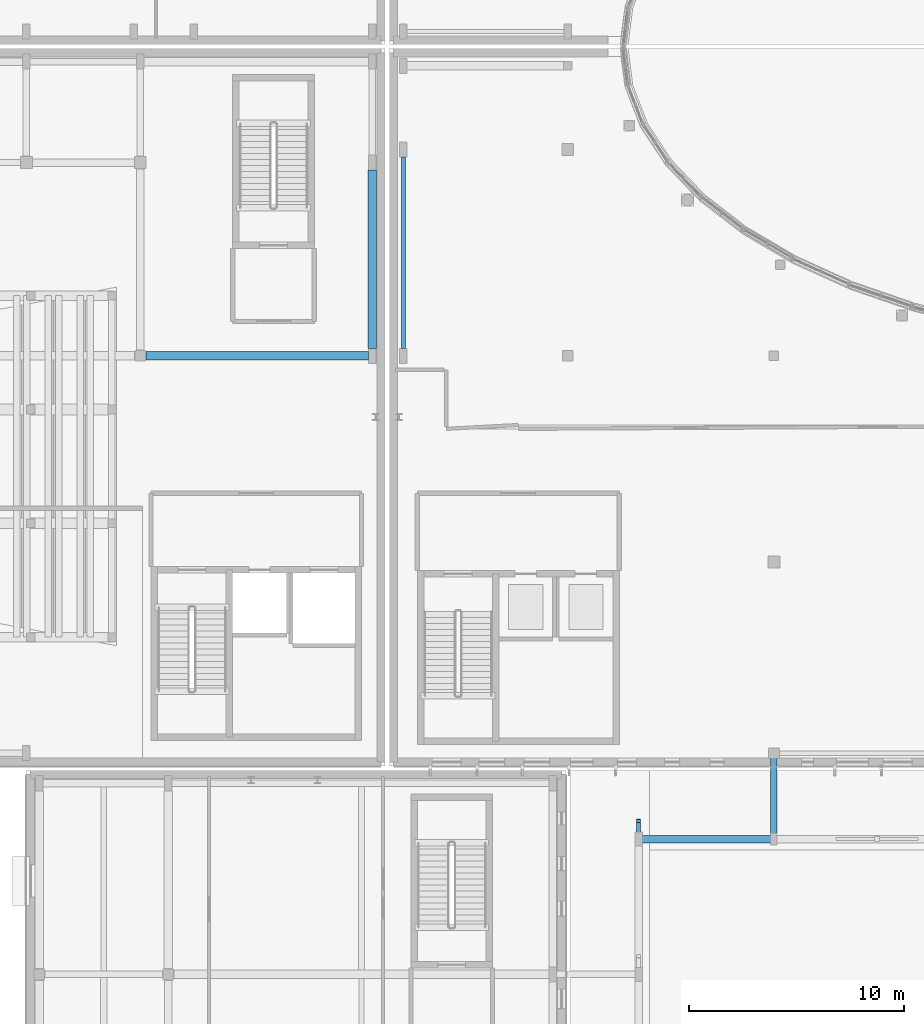
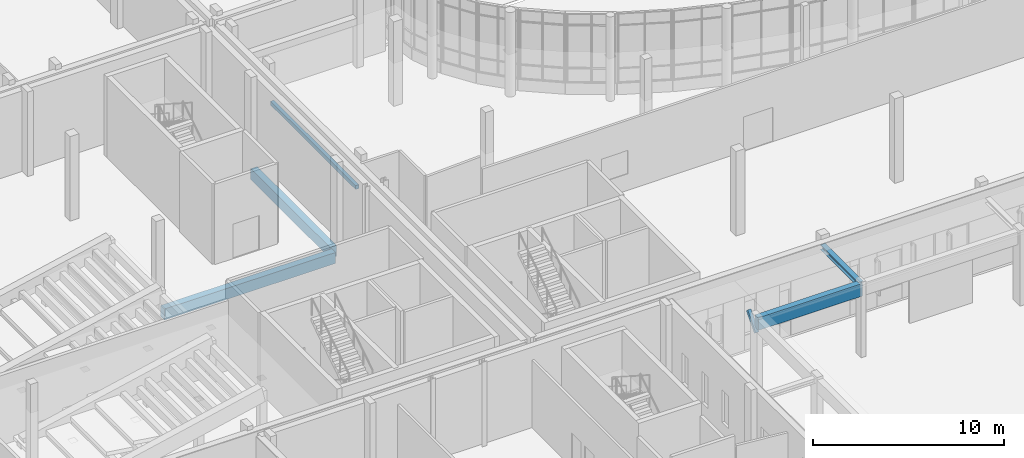
# One storey, part 10 of 84: 5 beams, 1 member.
"""IFC4 building model written with IfcOpenShell, lengths in metres."""

from ifc_helpers import new_model, si_unit, direction, frame, origin, origin_2d, place, context, subcontext, project, spatial, rectangle, hollow_rectangle, i_section, extrude, material, material_profile, profile_set, type_object, element, save


model = new_model("IFC4")

# Units and contexts
model_context = context("Model", 3, precision=1e-05, world=origin(), true_north=direction((0.0, 1.0)))
body_context = subcontext(model_context, "Body", "Model", "MODEL_VIEW")
ifc_project = project(units=[si_unit("LENGTHUNIT", "METRE"), si_unit("AREAUNIT", "SQUARE_METRE"), si_unit("VOLUMEUNIT", "CUBIC_METRE"), si_unit("PLANEANGLEUNIT", "RADIAN"), si_unit("MASSUNIT", "GRAM", prefix="KILO")], contexts=[model_context])

# Site, building, storey
site_placement = place(None, origin())
site = spatial("IfcSite", under=ifc_project, at=site_placement, CompositionType="ELEMENT")
building_placement = place(site_placement, origin())
building = spatial("IfcBuilding", under=site, at=building_placement, Name="Mzevani Central Library", CompositionType="ELEMENT")
storey_placement = place(building_placement, origin())
storey = spatial("IfcBuildingStorey", under=building, at=storey_placement, Name="L00", CompositionType="ELEMENT", Elevation=0.0)

# Beams
ifc_material_1 = material(Name="Concrete C35/45", Category="concrete")
ifc_material_profile_1 = material_profile(ifc_material_1, rectangle(XDim=0.39990234375, YDim=0.699951171875, at=origin_2d()), Name="RC B400x700")
ifc_profile_set_1 = profile_set([ifc_material_profile_1], Name="Concrete C35/45")
beam_type_1 = type_object("IfcBeamType", Name="Beam RC 400x700", PredefinedType="BEAM", material=ifc_profile_set_1)
beam_1_placement = place(storey_placement, frame((34.77490234375, 61.60009765625, -0.75), z_axis=(1.0, 0.0, 0.0), x_axis=(0.0, 1.0, 0.0)))
element("IfcBeam", 1, at=beam_1_placement, inside=storey, type_object=beam_type_1, Name="L00 V5 Girder B-08 (904)", PredefinedType="BEAM", context=body_context, shape_type="SweptSolid", body=[
    extrude(rectangle(XDim=0.39990234375, YDim=0.699951171875, at=origin_2d()), origin(), (0.0, 0.0, 1.0), 10.35009765625),
])
beam_2_placement = place(storey_placement, frame((45.300048828125, 61.949951171875, -0.75), z_axis=(0.0, 1.0, 0.0), x_axis=(-1.0, 0.0, 0.0)))
element("IfcBeam", 2, at=beam_2_placement, inside=storey, type_object=beam_type_1, Name="L00 V5 Frame Beam B-08 (923)", PredefinedType="BEAM", context=body_context, shape_type="SweptSolid", body=[
    extrude(rectangle(XDim=0.39990234375, YDim=0.699951171875, at=origin_2d()), origin(), (0.0, 0.0, 1.0), 8.300048828125),
])

# Member
ifc_material_2 = material(Name="Steel S355J2", Category="steel")
ifc_material_profile_2 = material_profile(ifc_material_2, hollow_rectangle(XDim=0.199951171875, YDim=0.199951171875, WallThickness=0.010009765625, at=origin_2d()), Name="SHS 200x200x10.0")
ifc_profile_set_2 = profile_set([ifc_material_profile_2], Name="Steel S355J2")
member_type = type_object("IfcMemberType", Name="Canopy Outrigger Strut SHS 200x200", PredefinedType="POST", material=ifc_profile_set_2)
member_placement = place(storey_placement, frame((57.699951171875, 39.10009765625, 3.60009765625), z_axis=(0.0, 0.666750067418, 0.7452813882), x_axis=(-1.0, 0.0, 0.0)))
element("IfcMember", 3, at=member_placement, inside=storey, type_object=member_type, Name="L00 Colonnade Outrigger Strut 5", PredefinedType="POST", context=body_context, shape_type="SweptSolid", body=[
    extrude(hollow_rectangle(XDim=0.199951171875, YDim=0.199951171875, WallThickness=0.010009765625, at=origin_2d()), origin(), (0.0, 0.0, 1.0), 1.274658203125),
])

# Beams
ifc_material_profile_3 = material_profile(ifc_material_2, i_section(OverallWidth=0.300048828125, OverallDepth=0.31005859375, WebThickness=0.009033203125, FlangeThickness=0.015380859375, FilletRadius=0.027099609375, at=origin_2d()), Name="HEA 320")
ifc_profile_set_3 = profile_set([ifc_material_profile_3], Name="Steel S355J2")
beam_type_2 = type_object("IfcBeamType", Name="Canopy Tie Beam HEA 320", PredefinedType="BEAM", material=ifc_profile_set_3)
beam_3_placement = place(storey_placement, frame((64.0, 39.10009765625, 4.485107421875), z_axis=(0.0, 1.0, 0.0), x_axis=(-1.0, 0.0, 0.0)))
element("IfcBeam", 4, at=beam_3_placement, inside=storey, type_object=beam_type_2, Name="L00 North Colonnade Tie Beam 11", PredefinedType="BEAM", context=body_context, shape_type="SweptSolid", body=[
    extrude(i_section(OverallWidth=0.300048828125, OverallDepth=0.31005859375, WebThickness=0.009033203125, FlangeThickness=0.015380859375, FilletRadius=0.027099609375, at=origin_2d()), origin(), (0.0, 0.0, 1.0), 4.0),
])
ifc_material_3 = material(Name="Precast concrete C40/50", Category="concrete")
ifc_material_profile_4 = material_profile(ifc_material_3, rectangle(XDim=0.35009765625, YDim=0.800048828125, at=origin_2d()), Name="RC SP350x800")
ifc_profile_set_4 = profile_set([ifc_material_profile_4], Name="Precast concrete C40/50")
beam_type_3 = type_object("IfcBeamType", Name="Colonnade Fascia Beam RC 350x800", PredefinedType="SPANDREL", material=ifc_profile_set_4)
beam_4_placement = place(storey_placement, frame((57.699951171875, 39.10009765625, 4.239990234375), z_axis=(1.0, 0.0, 0.0), x_axis=(0.0, 1.0, 0.0)))
element("IfcBeam", 5, at=beam_4_placement, inside=storey, type_object=beam_type_3, Name="L00 North Colonnade Fascia Beam 1", PredefinedType="SPANDREL", context=body_context, shape_type="SweptSolid", body=[
    extrude(rectangle(XDim=0.35009765625, YDim=0.800048828125, at=origin_2d()), origin(), (0.0, 0.0, 1.0), 6.300048828125),
])
ifc_material_profile_5 = material_profile(ifc_material_3, rectangle(XDim=0.199951171875, YDim=0.25, at=origin_2d()), Name="PC LN200x250")
ifc_profile_set_5 = profile_set([ifc_material_profile_5], Name="Precast concrete C40/50")
beam_type_4 = type_object("IfcBeamType", Name="Precast Window Lintel 200x250", PredefinedType="LINTEL", material=ifc_profile_set_5)
beam_5_placement = place(storey_placement, frame((46.75, 61.949951171875, 2.875), z_axis=(0.0, 1.0, 0.0), x_axis=(-1.0, 0.0, 0.0)))
element("IfcBeam", 6, at=beam_5_placement, inside=storey, type_object=beam_type_4, Name="L00 V1 Precast Portal Lintel (7)", PredefinedType="LINTEL", context=body_context, shape_type="SweptSolid", body=[
    extrude(rectangle(XDim=0.199951171875, YDim=0.25, at=origin_2d()), origin(), (0.0, 0.0, 1.0), 8.900146484375),
])

save(model, "model.ifc")
